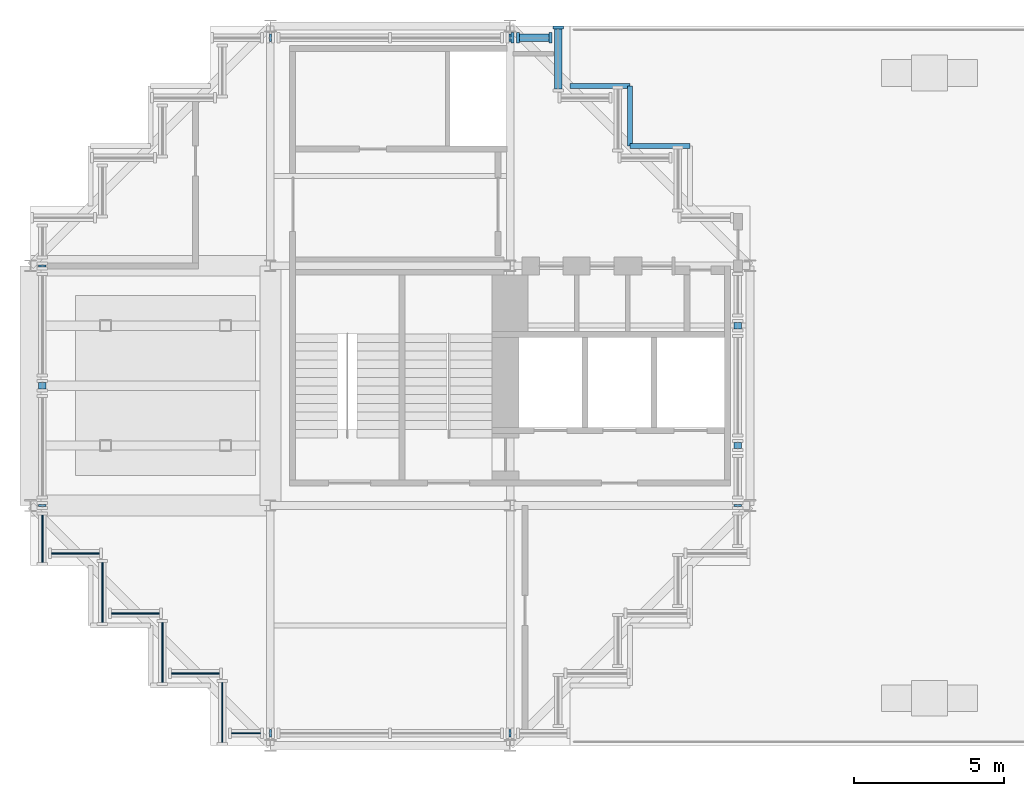
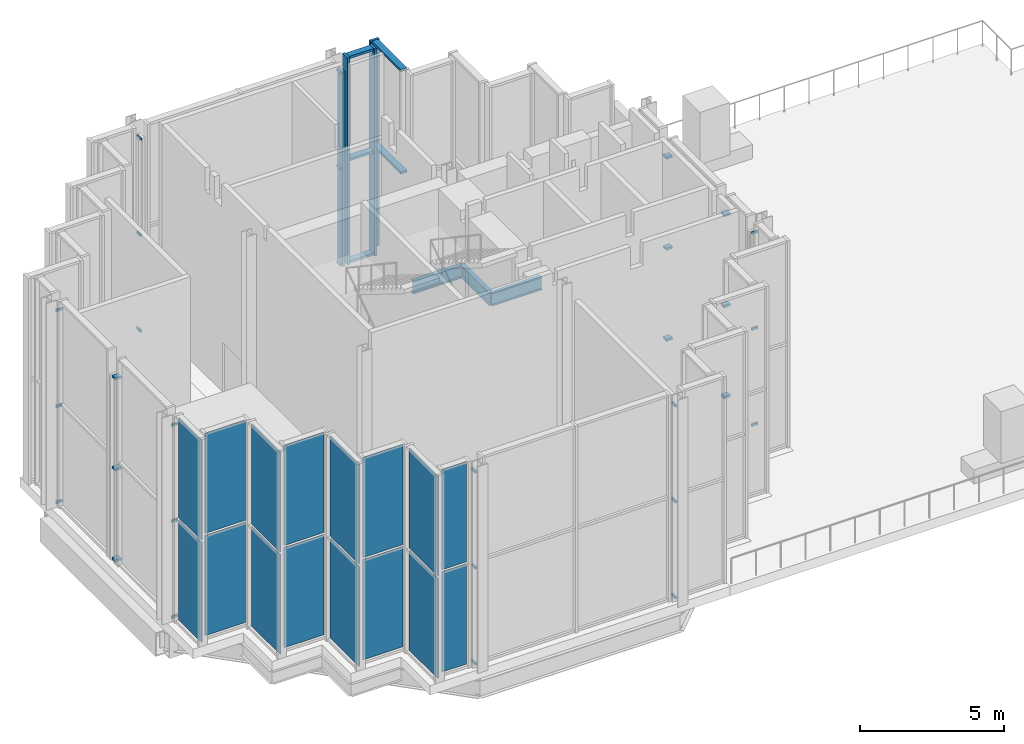
# One storey, part 5 of 15: 39 members, 16 plates, 3 beams, 20 elements without a shape of their own.
"""IFC4 building model written with IfcOpenShell, lengths in metres."""

from ifc_helpers import new_model, si_unit, direction, frame, origin, origin_2d, place, context, subcontext, project, spatial, rectangle, i_section, extrude, material, layer, layer_set, material_profile, profile_set, type_object, element, aggregate, save


model = new_model("IFC4")

# Units and contexts
model_context = context("Model", 3, precision=1e-05, world=origin(), true_north=direction((0.0, 1.0)))
body_context = subcontext(model_context, "Body", "Model", "MODEL_VIEW")
ifc_project = project(units=[si_unit("LENGTHUNIT", "METRE"), si_unit("AREAUNIT", "SQUARE_METRE"), si_unit("VOLUMEUNIT", "CUBIC_METRE"), si_unit("PLANEANGLEUNIT", "RADIAN"), si_unit("MASSUNIT", "GRAM", prefix="KILO")], contexts=[model_context])

# Site, building, storey
site_placement = place(None, origin())
site = spatial("IfcSite", under=ifc_project, at=site_placement, CompositionType="ELEMENT")
building_placement = place(site_placement, origin())
building = spatial("IfcBuilding", under=site, at=building_placement, Name="Immortelle Media Tower", CompositionType="ELEMENT")
storey_placement = place(building_placement, frame((0.0, 0.0, 299.0)))
storey = spatial("IfcBuildingStorey", under=building, at=storey_placement, Name="L66", CompositionType="ELEMENT", Elevation=299.0)

# Curtain wall, member
ifc_material_1 = material(Name="Aluminium curtain wall system", Category="aluminium")
curtain_wall_type = type_object("IfcCurtainWallType", Name="Damper hall glazing curtain wall", PredefinedType="NOTDEFINED", material=ifc_material_1)
curtain_wall_1_placement = place(storey_placement, origin())
curtain_wall_1 = element("IfcCurtainWall", 1, at=curtain_wall_1_placement, inside=storey, type_object=curtain_wall_type, Name="Damper hall glazing L66 E 13", PredefinedType="NOTDEFINED")
ifc_material_2 = material(Name="Aluminium 6063-T6", Category="aluminium")
ifc_material_profile_1 = material_profile(ifc_material_2, rectangle(XDim=0.35009765625, YDim=0.10009765625, at=origin_2d()), Name="AL 100x350")
ifc_profile_set_1 = profile_set([ifc_material_profile_1], Name="Aluminium 6063-T6")
member_type_1 = type_object("IfcMemberType", Name="Damper hall glazing mullion 100 x 350", PredefinedType="MULLION", material=ifc_profile_set_1)
member_1_placement = place(storey_placement, frame((17.60009765625, 23.949951171875, 0.0), z_axis=(0.0, 0.0, 1.0), x_axis=(-1.0, 0.0, 0.0)))
member_1 = element("IfcMember", 2, at=member_1_placement, type_object=member_type_1, Name="CW5 mullion 2", PredefinedType="MULLION", context=body_context, shape_type="SweptSolid", body=[
    extrude(rectangle(XDim=0.35009765625, YDim=0.10009765625, at=origin_2d()), origin(), (0.0, 0.0, 1.0), 8.74951171875),
])

# Curtain wall, members
curtain_wall_2_placement = place(storey_placement, origin())
curtain_wall_2 = element("IfcCurtainWall", 3, at=curtain_wall_2_placement, inside=storey, type_object=curtain_wall_type, Name="Damper hall glazing L66 N 14-1", PredefinedType="NOTDEFINED")
member_2_placement = place(storey_placement, frame((17.35009765625, 23.60009765625, 0.0), z_axis=(0.0, 0.0, 1.0), x_axis=(0.0, -1.0, 0.0)))
member_2 = element("IfcMember", 4, at=member_2_placement, type_object=member_type_1, Name="CW5 mullion 1", PredefinedType="MULLION", context=body_context, shape_type="SweptSolid", body=[
    extrude(rectangle(XDim=0.35009765625, YDim=0.10009765625, at=origin_2d()), origin(), (0.0, 0.0, 1.0), 8.74951171875),
])
member_3_placement = place(storey_placement, frame((16.2734375, 23.60009765625, 0.0), z_axis=(0.0, 0.0, 1.0), x_axis=(0.0, -1.0, 0.0)))
member_3 = element("IfcMember", 5, at=member_3_placement, type_object=member_type_1, Name="CW5 mullion 2", PredefinedType="MULLION", context=body_context, shape_type="SweptSolid", body=[
    extrude(rectangle(XDim=0.35009765625, YDim=0.10009765625, at=origin_2d()), origin(), (0.0, 0.0, 1.0), 8.74951171875),
])

# Curtain wall, member
curtain_wall_3_placement = place(storey_placement, origin())
curtain_wall_3 = element("IfcCurtainWall", 6, at=curtain_wall_3_placement, inside=storey, type_object=curtain_wall_type, Name="Damper hall glazing L66 N 14-2", PredefinedType="NOTDEFINED")
member_4_placement = place(storey_placement, frame((16.08349609375, 23.60009765625, 0.0), z_axis=(0.0, 0.0, 1.0), x_axis=(0.0, -1.0, 0.0)))
member_4 = element("IfcMember", 7, at=member_4_placement, type_object=member_type_1, Name="CW5 mullion 1", PredefinedType="MULLION", context=body_context, shape_type="SweptSolid", body=[
    extrude(rectangle(XDim=0.35009765625, YDim=0.10009765625, at=origin_2d()), origin(), (0.0, 0.0, 1.0), 8.21337890625),
])

# Curtain wall, members
curtain_wall_4_placement = place(storey_placement, origin())
curtain_wall_4 = element("IfcCurtainWall", 8, at=curtain_wall_4_placement, inside=storey, type_object=curtain_wall_type, Name="Damper hall glazing L66 E 7-2", PredefinedType="NOTDEFINED")
ifc_material_profile_2 = material_profile(ifc_material_2, rectangle(XDim=0.25, YDim=0.10009765625, at=origin_2d()), Name="AL 100x250")
ifc_profile_set_2 = profile_set([ifc_material_profile_2], Name="Aluminium 6063-T6")
member_type_2 = type_object("IfcMemberType", Name="Damper hall glazing transom 100 x 250", PredefinedType="USERDEFINED", material=ifc_profile_set_2)
member_5_placement = place(storey_placement, frame((23.60009765625, 7.966552734375, 0.050048828125), z_axis=(0.0, 1.0, 0.0), x_axis=(-1.0, 0.0, 0.0)))
member_5 = element("IfcMember", 9, at=member_5_placement, type_object=member_type_2, Name="CW5 transom 1.1", ObjectType="TRANSOM", PredefinedType="USERDEFINED", context=body_context, shape_type="SweptSolid", body=[
    extrude(rectangle(XDim=0.25, YDim=0.10009765625, at=origin_2d()), origin(), (0.0, 0.0, 1.0), 0.06689453125),
])
member_6_placement = place(storey_placement, frame((23.60009765625, 7.966552734375, 4.106689453125), z_axis=(0.0, 1.0, 0.0), x_axis=(-1.0, 0.0, 0.0)))
member_6 = element("IfcMember", 10, at=member_6_placement, type_object=member_type_2, Name="CW5 transom 1.2", ObjectType="TRANSOM", PredefinedType="USERDEFINED", context=body_context, shape_type="SweptSolid", body=[
    extrude(rectangle(XDim=0.25, YDim=0.10009765625, at=origin_2d()), origin(), (0.0, 0.0, 1.0), 0.06689453125),
])
member_7_placement = place(storey_placement, frame((23.60009765625, 7.966552734375, 8.16357421875), z_axis=(0.0, 1.0, 0.0), x_axis=(-1.0, 0.0, 0.0)))
member_7 = element("IfcMember", 11, at=member_7_placement, type_object=member_type_2, Name="CW5 transom 1.3", ObjectType="TRANSOM", PredefinedType="USERDEFINED", context=body_context, shape_type="SweptSolid", body=[
    extrude(rectangle(XDim=0.25, YDim=0.10009765625, at=origin_2d()), origin(), (0.0, 0.0, 1.0), 0.06689453125),
])
aggregate(curtain_wall_4, [member_5, member_6, member_7])

curtain_wall_5_placement = place(storey_placement, origin())
curtain_wall_5 = element("IfcCurtainWall", 12, at=curtain_wall_5_placement, inside=storey, type_object=curtain_wall_type, Name="Damper hall glazing L66 E 7-4", PredefinedType="NOTDEFINED")
member_8_placement = place(storey_placement, frame((23.60009765625, 9.89501953125, 0.050048828125), z_axis=(0.0, 1.0, 0.0), x_axis=(-1.0, 0.0, 0.0)))
member_8 = element("IfcMember", 13, at=member_8_placement, type_object=member_type_2, Name="CW5 transom 1.1", ObjectType="TRANSOM", PredefinedType="USERDEFINED", context=body_context, shape_type="SweptSolid", body=[
    extrude(rectangle(XDim=0.25, YDim=0.10009765625, at=origin_2d()), origin(), (0.0, 0.0, 1.0), 0.2099609375),
])
member_9_placement = place(storey_placement, frame((23.60009765625, 9.89501953125, 3.899658203125), z_axis=(0.0, 1.0, 0.0), x_axis=(-1.0, 0.0, 0.0)))
member_9 = element("IfcMember", 14, at=member_9_placement, type_object=member_type_2, Name="CW5 transom 1.2", ObjectType="TRANSOM", PredefinedType="USERDEFINED", context=body_context, shape_type="SweptSolid", body=[
    extrude(rectangle(XDim=0.25, YDim=0.10009765625, at=origin_2d()), origin(), (0.0, 0.0, 1.0), 0.2099609375),
])
member_10_placement = place(storey_placement, frame((23.60009765625, 9.89501953125, 7.74951171875), z_axis=(0.0, 1.0, 0.0), x_axis=(-1.0, 0.0, 0.0)))
member_10 = element("IfcMember", 15, at=member_10_placement, type_object=member_type_2, Name="CW5 transom 1.3", ObjectType="TRANSOM", PredefinedType="USERDEFINED", context=body_context, shape_type="SweptSolid", body=[
    extrude(rectangle(XDim=0.25, YDim=0.10009765625, at=origin_2d()), origin(), (0.0, 0.0, 1.0), 0.2099609375),
])
aggregate(curtain_wall_5, [member_8, member_9, member_10])

curtain_wall_6_placement = place(storey_placement, origin())
curtain_wall_6 = element("IfcCurtainWall", 16, at=curtain_wall_6_placement, inside=storey, type_object=curtain_wall_type, Name="Damper hall glazing L66 E 7-6", PredefinedType="NOTDEFINED")
member_11_placement = place(storey_placement, frame((23.60009765625, 13.89501953125, 0.050048828125), z_axis=(0.0, 1.0, 0.0), x_axis=(-1.0, 0.0, 0.0)))
member_11 = element("IfcMember", 17, at=member_11_placement, type_object=member_type_2, Name="CW5 transom 1.1", ObjectType="TRANSOM", PredefinedType="USERDEFINED", context=body_context, shape_type="SweptSolid", body=[
    extrude(rectangle(XDim=0.25, YDim=0.10009765625, at=origin_2d()), origin(), (0.0, 0.0, 1.0), 0.2099609375),
])
member_12_placement = place(storey_placement, frame((23.60009765625, 13.89501953125, 3.899658203125), z_axis=(0.0, 1.0, 0.0), x_axis=(-1.0, 0.0, 0.0)))
member_12 = element("IfcMember", 18, at=member_12_placement, type_object=member_type_2, Name="CW5 transom 1.2", ObjectType="TRANSOM", PredefinedType="USERDEFINED", context=body_context, shape_type="SweptSolid", body=[
    extrude(rectangle(XDim=0.25, YDim=0.10009765625, at=origin_2d()), origin(), (0.0, 0.0, 1.0), 0.2099609375),
])
member_13_placement = place(storey_placement, frame((23.60009765625, 13.89501953125, 7.74951171875), z_axis=(0.0, 1.0, 0.0), x_axis=(-1.0, 0.0, 0.0)))
member_13 = element("IfcMember", 19, at=member_13_placement, type_object=member_type_2, Name="CW5 transom 1.3", ObjectType="TRANSOM", PredefinedType="USERDEFINED", context=body_context, shape_type="SweptSolid", body=[
    extrude(rectangle(XDim=0.25, YDim=0.10009765625, at=origin_2d()), origin(), (0.0, 0.0, 1.0), 0.2099609375),
])
aggregate(curtain_wall_6, [member_11, member_12, member_13])

# Member
member_14_placement = place(storey_placement, frame((17.60009765625, 21.89990234375, 4.374755859375), z_axis=(0.0, 1.0, 0.0), x_axis=(-1.0, 0.0, 0.0)))
member_14 = element("IfcMember", 20, at=member_14_placement, type_object=member_type_2, Name="CW5 transom 1.2", ObjectType="TRANSOM", PredefinedType="USERDEFINED", context=body_context, shape_type="SweptSolid", body=[
    extrude(rectangle(XDim=0.25, YDim=0.10009765625, at=origin_2d()), origin(), (0.0, 0.0, 1.0), 2.0),
])

member_15_placement = place(storey_placement, frame((17.60009765625, 21.89990234375, 8.699462890625), z_axis=(0.0, 1.0, 0.0), x_axis=(-1.0, 0.0, 0.0)))
member_15 = element("IfcMember", 21, at=member_15_placement, type_object=member_type_2, Name="CW5 transom 1.3", ObjectType="TRANSOM", PredefinedType="USERDEFINED", context=body_context, shape_type="SweptSolid", body=[
    extrude(rectangle(XDim=0.25, YDim=0.10009765625, at=origin_2d()), origin(), (0.0, 0.0, 1.0), 2.0),
])

aggregate(curtain_wall_1, [member_1, member_14, member_15])

member_16_placement = place(storey_placement, frame((17.300048828125, 23.60009765625, 0.050048828125), z_axis=(-1.0, 0.0, 0.0), x_axis=(0.0, -1.0, 0.0)))
member_16 = element("IfcMember", 22, at=member_16_placement, type_object=member_type_2, Name="CW5 transom 1.1", ObjectType="TRANSOM", PredefinedType="USERDEFINED", context=body_context, shape_type="SweptSolid", body=[
    extrude(rectangle(XDim=0.25, YDim=0.10009765625, at=origin_2d()), origin(), (0.0, 0.0, 1.0), 0.9765625),
])

member_17_placement = place(storey_placement, frame((17.300048828125, 23.60009765625, 4.374755859375), z_axis=(-1.0, 0.0, 0.0), x_axis=(0.0, -1.0, 0.0)))
member_17 = element("IfcMember", 23, at=member_17_placement, type_object=member_type_2, Name="CW5 transom 1.2", ObjectType="TRANSOM", PredefinedType="USERDEFINED", context=body_context, shape_type="SweptSolid", body=[
    extrude(rectangle(XDim=0.25, YDim=0.10009765625, at=origin_2d()), origin(), (0.0, 0.0, 1.0), 0.9765625),
])

member_18_placement = place(storey_placement, frame((17.300048828125, 23.60009765625, 8.699462890625), z_axis=(-1.0, 0.0, 0.0), x_axis=(0.0, -1.0, 0.0)))
member_18 = element("IfcMember", 24, at=member_18_placement, type_object=member_type_2, Name="CW5 transom 1.3", ObjectType="TRANSOM", PredefinedType="USERDEFINED", context=body_context, shape_type="SweptSolid", body=[
    extrude(rectangle(XDim=0.25, YDim=0.10009765625, at=origin_2d()), origin(), (0.0, 0.0, 1.0), 0.9765625),
])

aggregate(curtain_wall_2, [member_2, member_3, member_16, member_17, member_18])

member_19_placement = place(storey_placement, frame((16.033447265625, 23.60009765625, 0.050048828125), z_axis=(-1.0, 0.0, 0.0), x_axis=(0.0, -1.0, 0.0)))
member_19 = element("IfcMember", 25, at=member_19_placement, type_object=member_type_2, Name="CW5 transom 1.1", ObjectType="TRANSOM", PredefinedType="USERDEFINED", context=body_context, shape_type="SweptSolid", body=[
    extrude(rectangle(XDim=0.25, YDim=0.10009765625, at=origin_2d()), origin(), (0.0, 0.0, 1.0), 0.06689453125),
])

member_20_placement = place(storey_placement, frame((16.033447265625, 23.60009765625, 4.106689453125), z_axis=(-1.0, 0.0, 0.0), x_axis=(0.0, -1.0, 0.0)))
member_20 = element("IfcMember", 26, at=member_20_placement, type_object=member_type_2, Name="CW5 transom 1.2", ObjectType="TRANSOM", PredefinedType="USERDEFINED", context=body_context, shape_type="SweptSolid", body=[
    extrude(rectangle(XDim=0.25, YDim=0.10009765625, at=origin_2d()), origin(), (0.0, 0.0, 1.0), 0.06689453125),
])

member_21_placement = place(storey_placement, frame((16.033447265625, 23.60009765625, 8.16357421875), z_axis=(-1.0, 0.0, 0.0), x_axis=(0.0, -1.0, 0.0)))
member_21 = element("IfcMember", 27, at=member_21_placement, type_object=member_type_2, Name="CW5 transom 1.3", ObjectType="TRANSOM", PredefinedType="USERDEFINED", context=body_context, shape_type="SweptSolid", body=[
    extrude(rectangle(XDim=0.25, YDim=0.10009765625, at=origin_2d()), origin(), (0.0, 0.0, 1.0), 0.06689453125),
])

aggregate(curtain_wall_3, [member_4, member_19, member_20, member_21])

# Curtain wall, members
curtain_wall_7_placement = place(storey_placement, origin())
curtain_wall_7 = element("IfcCurtainWall", 28, at=curtain_wall_7_placement, inside=storey, type_object=curtain_wall_type, Name="Damper hall glazing L66 N 14-4", PredefinedType="NOTDEFINED")
member_22_placement = place(storey_placement, frame((8.033447265625, 23.60009765625, 0.050048828125), z_axis=(-1.0, 0.0, 0.0), x_axis=(0.0, -1.0, 0.0)))
member_22 = element("IfcMember", 29, at=member_22_placement, type_object=member_type_2, Name="CW5 transom 1.1", ObjectType="TRANSOM", PredefinedType="USERDEFINED", context=body_context, shape_type="SweptSolid", body=[
    extrude(rectangle(XDim=0.25, YDim=0.10009765625, at=origin_2d()), origin(), (0.0, 0.0, 1.0), 0.06689453125),
])
member_23_placement = place(storey_placement, frame((8.033447265625, 23.60009765625, 4.106689453125), z_axis=(-1.0, 0.0, 0.0), x_axis=(0.0, -1.0, 0.0)))
member_23 = element("IfcMember", 30, at=member_23_placement, type_object=member_type_2, Name="CW5 transom 1.2", ObjectType="TRANSOM", PredefinedType="USERDEFINED", context=body_context, shape_type="SweptSolid", body=[
    extrude(rectangle(XDim=0.25, YDim=0.10009765625, at=origin_2d()), origin(), (0.0, 0.0, 1.0), 0.06689453125),
])
member_24_placement = place(storey_placement, frame((8.033447265625, 23.60009765625, 8.16357421875), z_axis=(-1.0, 0.0, 0.0), x_axis=(0.0, -1.0, 0.0)))
member_24 = element("IfcMember", 31, at=member_24_placement, type_object=member_type_2, Name="CW5 transom 1.3", ObjectType="TRANSOM", PredefinedType="USERDEFINED", context=body_context, shape_type="SweptSolid", body=[
    extrude(rectangle(XDim=0.25, YDim=0.10009765625, at=origin_2d()), origin(), (0.0, 0.0, 1.0), 0.06689453125),
])
aggregate(curtain_wall_7, [member_22, member_23, member_24])

curtain_wall_8_placement = place(storey_placement, origin())
curtain_wall_8 = element("IfcCurtainWall", 32, at=curtain_wall_8_placement, inside=storey, type_object=curtain_wall_type, Name="Damper hall glazing L66 W 21-2", PredefinedType="NOTDEFINED")
member_25_placement = place(storey_placement, frame((0.39990234375, 16.033447265625, 0.050048828125), z_axis=(0.0, -1.0, 0.0), x_axis=(1.0, 0.0, 0.0)))
member_25 = element("IfcMember", 33, at=member_25_placement, type_object=member_type_2, Name="CW5 transom 1.1", ObjectType="TRANSOM", PredefinedType="USERDEFINED", context=body_context, shape_type="SweptSolid", body=[
    extrude(rectangle(XDim=0.25, YDim=0.10009765625, at=origin_2d()), origin(), (0.0, 0.0, 1.0), 0.06689453125),
])
member_26_placement = place(storey_placement, frame((0.39990234375, 16.033447265625, 4.106689453125), z_axis=(0.0, -1.0, 0.0), x_axis=(1.0, 0.0, 0.0)))
member_26 = element("IfcMember", 34, at=member_26_placement, type_object=member_type_2, Name="CW5 transom 1.2", ObjectType="TRANSOM", PredefinedType="USERDEFINED", context=body_context, shape_type="SweptSolid", body=[
    extrude(rectangle(XDim=0.25, YDim=0.10009765625, at=origin_2d()), origin(), (0.0, 0.0, 1.0), 0.06689453125),
])
member_27_placement = place(storey_placement, frame((0.39990234375, 16.033447265625, 8.16357421875), z_axis=(0.0, -1.0, 0.0), x_axis=(1.0, 0.0, 0.0)))
member_27 = element("IfcMember", 35, at=member_27_placement, type_object=member_type_2, Name="CW5 transom 1.3", ObjectType="TRANSOM", PredefinedType="USERDEFINED", context=body_context, shape_type="SweptSolid", body=[
    extrude(rectangle(XDim=0.25, YDim=0.10009765625, at=origin_2d()), origin(), (0.0, 0.0, 1.0), 0.06689453125),
])
aggregate(curtain_wall_8, [member_25, member_26, member_27])

curtain_wall_9_placement = place(storey_placement, origin())
curtain_wall_9 = element("IfcCurtainWall", 36, at=curtain_wall_9_placement, inside=storey, type_object=curtain_wall_type, Name="Damper hall glazing L66 W 21-4", PredefinedType="NOTDEFINED")
member_28_placement = place(storey_placement, frame((0.39990234375, 12.10498046875, 0.050048828125), z_axis=(0.0, -1.0, 0.0), x_axis=(1.0, 0.0, 0.0)))
member_28 = element("IfcMember", 37, at=member_28_placement, type_object=member_type_2, Name="CW5 transom 1.1", ObjectType="TRANSOM", PredefinedType="USERDEFINED", context=body_context, shape_type="SweptSolid", body=[
    extrude(rectangle(XDim=0.25, YDim=0.10009765625, at=origin_2d()), origin(), (0.0, 0.0, 1.0), 0.2099609375),
])
member_29_placement = place(storey_placement, frame((0.39990234375, 12.10498046875, 3.899658203125), z_axis=(0.0, -1.0, 0.0), x_axis=(1.0, 0.0, 0.0)))
member_29 = element("IfcMember", 38, at=member_29_placement, type_object=member_type_2, Name="CW5 transom 1.2", ObjectType="TRANSOM", PredefinedType="USERDEFINED", context=body_context, shape_type="SweptSolid", body=[
    extrude(rectangle(XDim=0.25, YDim=0.10009765625, at=origin_2d()), origin(), (0.0, 0.0, 1.0), 0.2099609375),
])
member_30_placement = place(storey_placement, frame((0.39990234375, 12.10498046875, 7.74951171875), z_axis=(0.0, -1.0, 0.0), x_axis=(1.0, 0.0, 0.0)))
member_30 = element("IfcMember", 39, at=member_30_placement, type_object=member_type_2, Name="CW5 transom 1.3", ObjectType="TRANSOM", PredefinedType="USERDEFINED", context=body_context, shape_type="SweptSolid", body=[
    extrude(rectangle(XDim=0.25, YDim=0.10009765625, at=origin_2d()), origin(), (0.0, 0.0, 1.0), 0.2099609375),
])
aggregate(curtain_wall_9, [member_28, member_29, member_30])

curtain_wall_10_placement = place(storey_placement, origin())
curtain_wall_10 = element("IfcCurtainWall", 40, at=curtain_wall_10_placement, inside=storey, type_object=curtain_wall_type, Name="Damper hall glazing L66 W 21-6", PredefinedType="NOTDEFINED")
member_31_placement = place(storey_placement, frame((0.39990234375, 8.033447265625, 0.050048828125), z_axis=(0.0, -1.0, 0.0), x_axis=(1.0, 0.0, 0.0)))
member_31 = element("IfcMember", 41, at=member_31_placement, type_object=member_type_2, Name="CW5 transom 1.1", ObjectType="TRANSOM", PredefinedType="USERDEFINED", context=body_context, shape_type="SweptSolid", body=[
    extrude(rectangle(XDim=0.25, YDim=0.10009765625, at=origin_2d()), origin(), (0.0, 0.0, 1.0), 0.06689453125),
])
member_32_placement = place(storey_placement, frame((0.39990234375, 8.033447265625, 4.106689453125), z_axis=(0.0, -1.0, 0.0), x_axis=(1.0, 0.0, 0.0)))
member_32 = element("IfcMember", 42, at=member_32_placement, type_object=member_type_2, Name="CW5 transom 1.2", ObjectType="TRANSOM", PredefinedType="USERDEFINED", context=body_context, shape_type="SweptSolid", body=[
    extrude(rectangle(XDim=0.25, YDim=0.10009765625, at=origin_2d()), origin(), (0.0, 0.0, 1.0), 0.06689453125),
])
member_33_placement = place(storey_placement, frame((0.39990234375, 8.033447265625, 8.16357421875), z_axis=(0.0, -1.0, 0.0), x_axis=(1.0, 0.0, 0.0)))
member_33 = element("IfcMember", 43, at=member_33_placement, type_object=member_type_2, Name="CW5 transom 1.3", ObjectType="TRANSOM", PredefinedType="USERDEFINED", context=body_context, shape_type="SweptSolid", body=[
    extrude(rectangle(XDim=0.25, YDim=0.10009765625, at=origin_2d()), origin(), (0.0, 0.0, 1.0), 0.06689453125),
])
aggregate(curtain_wall_10, [member_31, member_32, member_33])

curtain_wall_11_placement = place(storey_placement, origin())
curtain_wall_11 = element("IfcCurtainWall", 44, at=curtain_wall_11_placement, inside=storey, type_object=curtain_wall_type, Name="Damper hall glazing L66 S 28-2", PredefinedType="NOTDEFINED")
member_34_placement = place(storey_placement, frame((7.966552734375, 0.39990234375, 0.050048828125), z_axis=(1.0, 0.0, 0.0), x_axis=(0.0, 1.0, 0.0)))
member_34 = element("IfcMember", 45, at=member_34_placement, type_object=member_type_2, Name="CW5 transom 1.1", ObjectType="TRANSOM", PredefinedType="USERDEFINED", context=body_context, shape_type="SweptSolid", body=[
    extrude(rectangle(XDim=0.25, YDim=0.10009765625, at=origin_2d()), origin(), (0.0, 0.0, 1.0), 0.06689453125),
])
member_35_placement = place(storey_placement, frame((7.966552734375, 0.39990234375, 4.106689453125), z_axis=(1.0, 0.0, 0.0), x_axis=(0.0, 1.0, 0.0)))
member_35 = element("IfcMember", 46, at=member_35_placement, type_object=member_type_2, Name="CW5 transom 1.2", ObjectType="TRANSOM", PredefinedType="USERDEFINED", context=body_context, shape_type="SweptSolid", body=[
    extrude(rectangle(XDim=0.25, YDim=0.10009765625, at=origin_2d()), origin(), (0.0, 0.0, 1.0), 0.06689453125),
])
member_36_placement = place(storey_placement, frame((7.966552734375, 0.39990234375, 8.16357421875), z_axis=(1.0, 0.0, 0.0), x_axis=(0.0, 1.0, 0.0)))
member_36 = element("IfcMember", 47, at=member_36_placement, type_object=member_type_2, Name="CW5 transom 1.3", ObjectType="TRANSOM", PredefinedType="USERDEFINED", context=body_context, shape_type="SweptSolid", body=[
    extrude(rectangle(XDim=0.25, YDim=0.10009765625, at=origin_2d()), origin(), (0.0, 0.0, 1.0), 0.06689453125),
])
aggregate(curtain_wall_11, [member_34, member_35, member_36])

curtain_wall_12_placement = place(storey_placement, origin())
curtain_wall_12 = element("IfcCurtainWall", 48, at=curtain_wall_12_placement, inside=storey, type_object=curtain_wall_type, Name="Damper hall glazing L66 S 28-4", PredefinedType="NOTDEFINED")
member_37_placement = place(storey_placement, frame((15.966552734375, 0.39990234375, 0.050048828125), z_axis=(1.0, 0.0, 0.0), x_axis=(0.0, 1.0, 0.0)))
member_37 = element("IfcMember", 49, at=member_37_placement, type_object=member_type_2, Name="CW5 transom 1.1", ObjectType="TRANSOM", PredefinedType="USERDEFINED", context=body_context, shape_type="SweptSolid", body=[
    extrude(rectangle(XDim=0.25, YDim=0.10009765625, at=origin_2d()), origin(), (0.0, 0.0, 1.0), 0.06689453125),
])
member_38_placement = place(storey_placement, frame((15.966552734375, 0.39990234375, 4.106689453125), z_axis=(1.0, 0.0, 0.0), x_axis=(0.0, 1.0, 0.0)))
member_38 = element("IfcMember", 50, at=member_38_placement, type_object=member_type_2, Name="CW5 transom 1.2", ObjectType="TRANSOM", PredefinedType="USERDEFINED", context=body_context, shape_type="SweptSolid", body=[
    extrude(rectangle(XDim=0.25, YDim=0.10009765625, at=origin_2d()), origin(), (0.0, 0.0, 1.0), 0.06689453125),
])
member_39_placement = place(storey_placement, frame((15.966552734375, 0.39990234375, 8.16357421875), z_axis=(1.0, 0.0, 0.0), x_axis=(0.0, 1.0, 0.0)))
member_39 = element("IfcMember", 51, at=member_39_placement, type_object=member_type_2, Name="CW5 transom 1.3", ObjectType="TRANSOM", PredefinedType="USERDEFINED", context=body_context, shape_type="SweptSolid", body=[
    extrude(rectangle(XDim=0.25, YDim=0.10009765625, at=origin_2d()), origin(), (0.0, 0.0, 1.0), 0.06689453125),
])
aggregate(curtain_wall_12, [member_37, member_38, member_39])

# Beams
ifc_material_3 = material(Name="Steel ASTM A992 Gr 50", Category="steel")
ifc_material_profile_3 = material_profile(ifc_material_3, i_section(OverallWidth=0.1669921875, OverallDepth=0.535888671875, WebThickness=0.010009765625, FlangeThickness=0.01708984375, at=origin_2d()), Name="W21x57")
ifc_profile_set_3 = profile_set([ifc_material_profile_3], Name="Steel ASTM A992 Gr 50")
beam_type = type_object("IfcBeamType", Name="W21x57 serration edge beam", PredefinedType="SPANDREL", material=ifc_profile_set_3)
for number, where, z_axis, x_axis, name in (
    (52, (22.0, 20.0, -0.66796875), (-1.0, 0.0, 0.0), (0.0, -1.0, 0.0), "Corner edge beam 2 at 4/D"),
    (53, (20.0, 20.0, -0.66796875), (0.0, 1.0, 0.0), (-1.0, 0.0, 0.0), "Corner edge beam 3 at 4/D"),
    (54, (20.0, 22.0, -0.66796875), (-1.0, 0.0, 0.0), (0.0, -1.0, 0.0), "Corner edge beam 4 at 4/D"),
):
    element("IfcBeam", number, at=place(storey_placement, frame(where, z_axis=z_axis, x_axis=x_axis)), inside=storey, type_object=beam_type, Name=name, PredefinedType="SPANDREL", context=body_context, shape_type="SweptSolid", body=[
        extrude(i_section(OverallWidth=0.1669921875, OverallDepth=0.535888671875, WebThickness=0.010009765625, FlangeThickness=0.01708984375, at=origin_2d()), origin(), (0.0, 0.0, 1.0), 2.0),
    ])

# Curtain wall, plates
curtain_wall_13_placement = place(storey_placement, origin())
curtain_wall_13 = element("IfcCurtainWall", 55, at=curtain_wall_13_placement, inside=storey, type_object=curtain_wall_type, Name="Damper hall glazing L66 W 21-7", PredefinedType="NOTDEFINED")
ifc_material_4 = material(Name="Warm-lit low-E double glazing", Category="glass")
ifc_layer = layer(ifc_material_4, 0.0439453125)
ifc_layer_set = layer_set([ifc_layer], Name="Warm-lit low-E double glazing")
plate_type = type_object("IfcPlateType", Name="Laminated solar control glazed panel 44 mm", PredefinedType="CURTAIN_PANEL", material=ifc_layer_set)
plate_1_placement = place(storey_placement, frame((0.39990234375, 6.88818359375, 0.10009765625), z_axis=(0.0, 0.0, 1.0), x_axis=(0.0, -1.0, 0.0)))
plate_1 = element("IfcPlate", 56, at=plate_1_placement, type_object=plate_type, Name="CW5 panel 1.1", PredefinedType="CURTAIN_PANEL", context=body_context, shape_type="SweptSolid", body=[
    extrude(rectangle(XDim=1.576416015625, YDim=0.0439453125, at=origin_2d()), origin(), (0.0, 0.0, 1.0), 4.224853515625),
])
plate_2_placement = place(storey_placement, frame((0.39990234375, 6.88818359375, 4.4248046875), z_axis=(0.0, 0.0, 1.0), x_axis=(0.0, -1.0, 0.0)))
plate_2 = element("IfcPlate", 57, at=plate_2_placement, type_object=plate_type, Name="CW5 panel 1.2", PredefinedType="CURTAIN_PANEL", context=body_context, shape_type="SweptSolid", body=[
    extrude(rectangle(XDim=1.576416015625, YDim=0.0439453125, at=origin_2d()), origin(), (0.0, 0.0, 1.0), 4.224853515625),
])
aggregate(curtain_wall_13, [plate_1, plate_2])

curtain_wall_14_placement = place(storey_placement, origin())
curtain_wall_14 = element("IfcCurtainWall", 58, at=curtain_wall_14_placement, inside=storey, type_object=curtain_wall_type, Name="Damper hall glazing L66 S 22", PredefinedType="NOTDEFINED")
plate_3_placement = place(storey_placement, frame((1.5, 6.39990234375, 0.10009765625), z_axis=(0.0, 0.0, 1.0), x_axis=(1.0, 0.0, 0.0)))
plate_3 = element("IfcPlate", 59, at=plate_3_placement, type_object=plate_type, Name="CW5 panel 1.1", PredefinedType="CURTAIN_PANEL", context=body_context, shape_type="SweptSolid", body=[
    extrude(rectangle(XDim=1.60009765625, YDim=0.0439453125, at=origin_2d()), origin(), (0.0, 0.0, 1.0), 4.224853515625),
])
plate_4_placement = place(storey_placement, frame((1.5, 6.39990234375, 4.4248046875), z_axis=(0.0, 0.0, 1.0), x_axis=(1.0, 0.0, 0.0)))
plate_4 = element("IfcPlate", 60, at=plate_4_placement, type_object=plate_type, Name="CW5 panel 1.2", PredefinedType="CURTAIN_PANEL", context=body_context, shape_type="SweptSolid", body=[
    extrude(rectangle(XDim=1.60009765625, YDim=0.0439453125, at=origin_2d()), origin(), (0.0, 0.0, 1.0), 4.224853515625),
])
aggregate(curtain_wall_14, [plate_3, plate_4])

curtain_wall_15_placement = place(storey_placement, origin())
curtain_wall_15 = element("IfcCurtainWall", 61, at=curtain_wall_15_placement, inside=storey, type_object=curtain_wall_type, Name="Damper hall glazing L66 W 23", PredefinedType="NOTDEFINED")
plate_5_placement = place(storey_placement, frame((2.39990234375, 5.10009765625, 0.10009765625), z_axis=(0.0, 0.0, 1.0), x_axis=(0.0, -1.0, 0.0)))
plate_5 = element("IfcPlate", 62, at=plate_5_placement, type_object=plate_type, Name="CW5 panel 1.1", PredefinedType="CURTAIN_PANEL", context=body_context, shape_type="SweptSolid", body=[
    extrude(rectangle(XDim=2.0, YDim=0.0439453125, at=origin_2d()), origin(), (0.0, 0.0, 1.0), 4.224853515625),
])
plate_6_placement = place(storey_placement, frame((2.39990234375, 5.10009765625, 4.4248046875), z_axis=(0.0, 0.0, 1.0), x_axis=(0.0, -1.0, 0.0)))
plate_6 = element("IfcPlate", 63, at=plate_6_placement, type_object=plate_type, Name="CW5 panel 1.2", PredefinedType="CURTAIN_PANEL", context=body_context, shape_type="SweptSolid", body=[
    extrude(rectangle(XDim=2.0, YDim=0.0439453125, at=origin_2d()), origin(), (0.0, 0.0, 1.0), 4.224853515625),
])
aggregate(curtain_wall_15, [plate_5, plate_6])

curtain_wall_16_placement = place(storey_placement, origin())
curtain_wall_16 = element("IfcCurtainWall", 64, at=curtain_wall_16_placement, inside=storey, type_object=curtain_wall_type, Name="Damper hall glazing L66 S 24", PredefinedType="NOTDEFINED")
plate_7_placement = place(storey_placement, frame((3.5, 4.39990234375, 0.10009765625), z_axis=(0.0, 0.0, 1.0), x_axis=(1.0, 0.0, 0.0)))
plate_7 = element("IfcPlate", 65, at=plate_7_placement, type_object=plate_type, Name="CW5 panel 1.1", PredefinedType="CURTAIN_PANEL", context=body_context, shape_type="SweptSolid", body=[
    extrude(rectangle(XDim=1.60009765625, YDim=0.0439453125, at=origin_2d()), origin(), (0.0, 0.0, 1.0), 4.224853515625),
])
plate_8_placement = place(storey_placement, frame((3.5, 4.39990234375, 4.4248046875), z_axis=(0.0, 0.0, 1.0), x_axis=(1.0, 0.0, 0.0)))
plate_8 = element("IfcPlate", 66, at=plate_8_placement, type_object=plate_type, Name="CW5 panel 1.2", PredefinedType="CURTAIN_PANEL", context=body_context, shape_type="SweptSolid", body=[
    extrude(rectangle(XDim=1.60009765625, YDim=0.0439453125, at=origin_2d()), origin(), (0.0, 0.0, 1.0), 4.224853515625),
])
aggregate(curtain_wall_16, [plate_7, plate_8])

curtain_wall_17_placement = place(storey_placement, origin())
curtain_wall_17 = element("IfcCurtainWall", 67, at=curtain_wall_17_placement, inside=storey, type_object=curtain_wall_type, Name="Damper hall glazing L66 W 25", PredefinedType="NOTDEFINED")
plate_9_placement = place(storey_placement, frame((4.39990234375, 3.10009765625, 0.10009765625), z_axis=(0.0, 0.0, 1.0), x_axis=(0.0, -1.0, 0.0)))
plate_9 = element("IfcPlate", 68, at=plate_9_placement, type_object=plate_type, Name="CW5 panel 1.1", PredefinedType="CURTAIN_PANEL", context=body_context, shape_type="SweptSolid", body=[
    extrude(rectangle(XDim=2.0, YDim=0.0439453125, at=origin_2d()), origin(), (0.0, 0.0, 1.0), 4.224853515625),
])
plate_10_placement = place(storey_placement, frame((4.39990234375, 3.10009765625, 4.4248046875), z_axis=(0.0, 0.0, 1.0), x_axis=(0.0, -1.0, 0.0)))
plate_10 = element("IfcPlate", 69, at=plate_10_placement, type_object=plate_type, Name="CW5 panel 1.2", PredefinedType="CURTAIN_PANEL", context=body_context, shape_type="SweptSolid", body=[
    extrude(rectangle(XDim=2.0, YDim=0.0439453125, at=origin_2d()), origin(), (0.0, 0.0, 1.0), 4.224853515625),
])
aggregate(curtain_wall_17, [plate_9, plate_10])

curtain_wall_18_placement = place(storey_placement, origin())
curtain_wall_18 = element("IfcCurtainWall", 70, at=curtain_wall_18_placement, inside=storey, type_object=curtain_wall_type, Name="Damper hall glazing L66 S 26", PredefinedType="NOTDEFINED")
plate_11_placement = place(storey_placement, frame((5.5, 2.39990234375, 0.10009765625), z_axis=(0.0, 0.0, 1.0), x_axis=(1.0, 0.0, 0.0)))
plate_11 = element("IfcPlate", 71, at=plate_11_placement, type_object=plate_type, Name="CW5 panel 1.1", PredefinedType="CURTAIN_PANEL", context=body_context, shape_type="SweptSolid", body=[
    extrude(rectangle(XDim=1.60009765625, YDim=0.0439453125, at=origin_2d()), origin(), (0.0, 0.0, 1.0), 4.224853515625),
])
plate_12_placement = place(storey_placement, frame((5.5, 2.39990234375, 4.4248046875), z_axis=(0.0, 0.0, 1.0), x_axis=(1.0, 0.0, 0.0)))
plate_12 = element("IfcPlate", 72, at=plate_12_placement, type_object=plate_type, Name="CW5 panel 1.2", PredefinedType="CURTAIN_PANEL", context=body_context, shape_type="SweptSolid", body=[
    extrude(rectangle(XDim=1.60009765625, YDim=0.0439453125, at=origin_2d()), origin(), (0.0, 0.0, 1.0), 4.224853515625),
])
aggregate(curtain_wall_18, [plate_11, plate_12])

curtain_wall_19_placement = place(storey_placement, origin())
curtain_wall_19 = element("IfcCurtainWall", 73, at=curtain_wall_19_placement, inside=storey, type_object=curtain_wall_type, Name="Damper hall glazing L66 W 27", PredefinedType="NOTDEFINED")
plate_13_placement = place(storey_placement, frame((6.39990234375, 1.10009765625, 0.10009765625), z_axis=(0.0, 0.0, 1.0), x_axis=(0.0, -1.0, 0.0)))
plate_13 = element("IfcPlate", 74, at=plate_13_placement, type_object=plate_type, Name="CW5 panel 1.1", PredefinedType="CURTAIN_PANEL", context=body_context, shape_type="SweptSolid", body=[
    extrude(rectangle(XDim=2.0, YDim=0.0439453125, at=origin_2d()), origin(), (0.0, 0.0, 1.0), 4.224853515625),
])
plate_14_placement = place(storey_placement, frame((6.39990234375, 1.10009765625, 4.4248046875), z_axis=(0.0, 0.0, 1.0), x_axis=(0.0, -1.0, 0.0)))
plate_14 = element("IfcPlate", 75, at=plate_14_placement, type_object=plate_type, Name="CW5 panel 1.2", PredefinedType="CURTAIN_PANEL", context=body_context, shape_type="SweptSolid", body=[
    extrude(rectangle(XDim=2.0, YDim=0.0439453125, at=origin_2d()), origin(), (0.0, 0.0, 1.0), 4.224853515625),
])
aggregate(curtain_wall_19, [plate_13, plate_14])

curtain_wall_20_placement = place(storey_placement, origin())
curtain_wall_20 = element("IfcCurtainWall", 76, at=curtain_wall_20_placement, inside=storey, type_object=curtain_wall_type, Name="Damper hall glazing L66 S 28-1", PredefinedType="NOTDEFINED")
plate_15_placement = place(storey_placement, frame((7.188232421875, 0.39990234375, 0.10009765625), z_axis=(0.0, 0.0, 1.0), x_axis=(1.0, 0.0, 0.0)))
plate_15 = element("IfcPlate", 77, at=plate_15_placement, type_object=plate_type, Name="CW5 panel 1.1", PredefinedType="CURTAIN_PANEL", context=body_context, shape_type="SweptSolid", body=[
    extrude(rectangle(XDim=0.9765625, YDim=0.0439453125, at=origin_2d()), origin(), (0.0, 0.0, 1.0), 4.224853515625),
])
plate_16_placement = place(storey_placement, frame((7.188232421875, 0.39990234375, 4.4248046875), z_axis=(0.0, 0.0, 1.0), x_axis=(1.0, 0.0, 0.0)))
plate_16 = element("IfcPlate", 78, at=plate_16_placement, type_object=plate_type, Name="CW5 panel 1.2", PredefinedType="CURTAIN_PANEL", context=body_context, shape_type="SweptSolid", body=[
    extrude(rectangle(XDim=0.9765625, YDim=0.0439453125, at=origin_2d()), origin(), (0.0, 0.0, 1.0), 4.224853515625),
])
aggregate(curtain_wall_20, [plate_15, plate_16])

save(model, "model.ifc")
